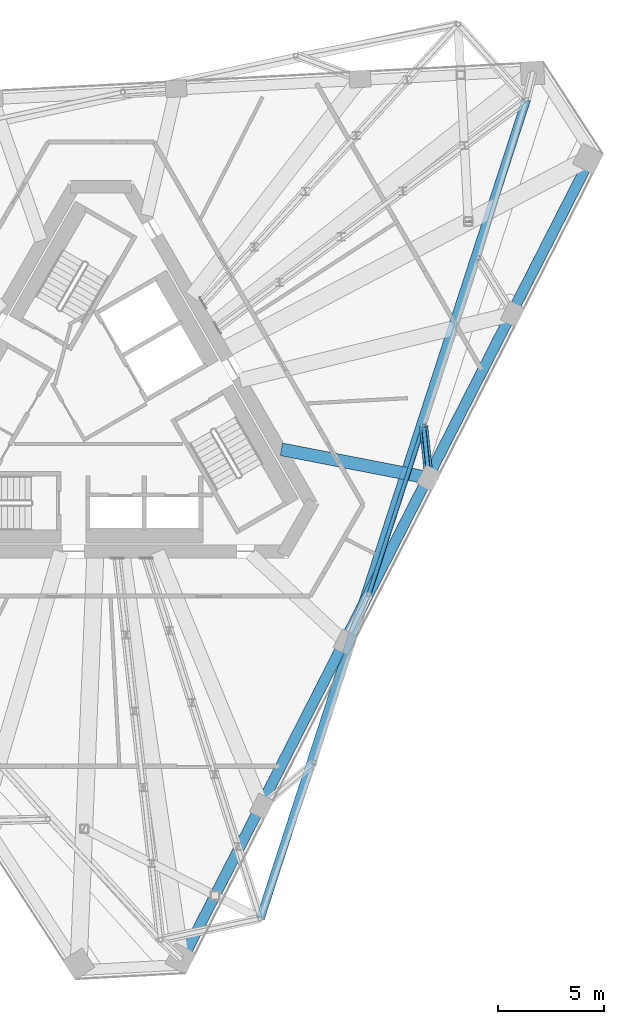
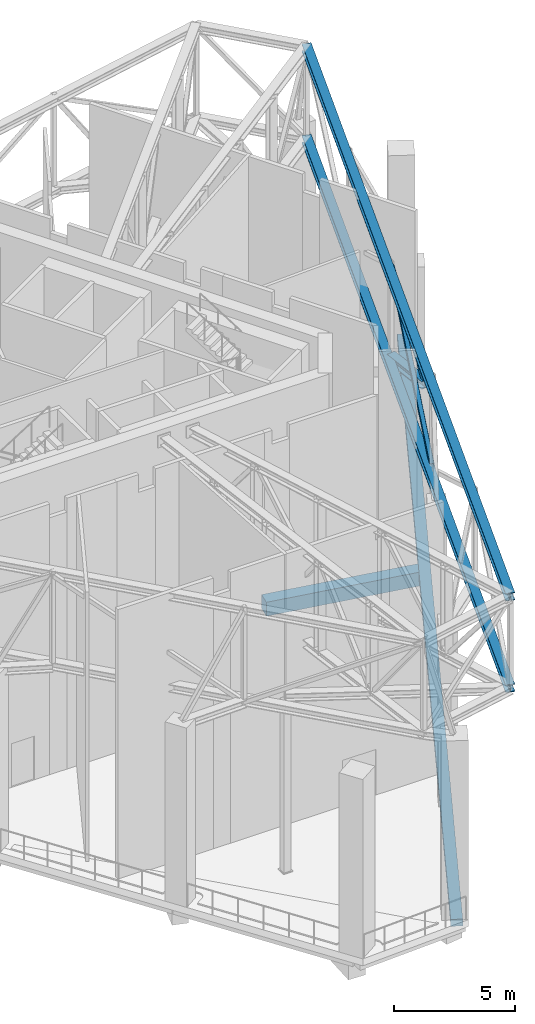
# One storey, part 9 of 23: 5 members, 2 beams.
"""IFC4 building model written with IfcOpenShell, lengths in metres."""

from ifc_helpers import new_model, si_unit, direction, frame, origin, origin_2d, place, context, subcontext, project, spatial, rectangle, hollow_rectangle, i_section, extrude, material, material_profile, profile_set, type_object, element, save


model = new_model("IFC4")

# Units and contexts
model_context = context("Model", 3, precision=1e-05, world=origin(), true_north=direction((0.0, 1.0)))
body_context = subcontext(model_context, "Body", "Model", "MODEL_VIEW")
ifc_project = project(units=[si_unit("LENGTHUNIT", "METRE"), si_unit("AREAUNIT", "SQUARE_METRE"), si_unit("VOLUMEUNIT", "CUBIC_METRE"), si_unit("PLANEANGLEUNIT", "RADIAN"), si_unit("MASSUNIT", "GRAM", prefix="KILO")], contexts=[model_context])

# Site, building, storey
site_placement = place(None, origin())
site = spatial("IfcSite", under=ifc_project, at=site_placement, CompositionType="ELEMENT")
building_placement = place(site_placement, origin())
building = spatial("IfcBuilding", under=site, at=building_placement, Name="Tramontana Tower", CompositionType="ELEMENT")
storey_placement = place(building_placement, frame((0.0, 0.0, 306.39990234375)))
storey = spatial("IfcBuildingStorey", under=building, at=storey_placement, Name="L72", CompositionType="ELEMENT", Elevation=306.39990234375)

# Members
ifc_material_1 = material(Name="Steel ASTM A500 Grade C", Category="steel")
ifc_material_profile_1 = material_profile(ifc_material_1, hollow_rectangle(XDim=0.203125, YDim=0.203125, WallThickness=0.0087890625, InnerFilletRadius=0.0087890625, OuterFilletRadius=0.017822265625, at=origin_2d()), Name="HSS8X8X3/8")
ifc_profile_set_1 = profile_set([ifc_material_profile_1], Name="Steel ASTM A500 Grade C")
member_type_1 = type_object("IfcMemberType", Name="Belt truss HSS8X8X3/8 brace", PredefinedType="BRACE", material=ifc_profile_set_1)
member_1_placement = place(storey_placement, frame((12.600830078125, -8.465087890625, 8.84375), z_axis=(0.270211924337, 0.831640558158, 0.485138637888), x_axis=(-0.951058019695, 0.309012367347, 0.0)))
element("IfcMember", 1, at=member_1_placement, inside=storey, type_object=member_type_1, Name="Belt truss diagonal S1.3", PredefinedType="BRACE", context=body_context, shape_type="SweptSolid", body=[
    extrude(hollow_rectangle(XDim=0.203125, YDim=0.203125, WallThickness=0.0087890625, InnerFilletRadius=0.0087890625, OuterFilletRadius=0.017822265625, at=origin_2d()), origin(), (0.0, 0.0, 1.0), 9.5078125),
])
ifc_material_2 = material(Name="Steel ASTM A992 Grade 50", Category="steel")
ifc_material_profile_2 = material_profile(ifc_material_2, i_section(OverallWidth=0.39697265625, OverallDepth=0.387451171875, WebThickness=0.020751953125, FlangeThickness=0.033447265625, FilletRadius=0.01513671875, at=origin_2d()), Name="W14X176")
ifc_profile_set_2 = profile_set([ifc_material_profile_2], Name="Steel ASTM A992 Grade 50")
member_type_2 = type_object("IfcMemberType", Name="Belt truss W14X176 chord", PredefinedType="CHORD", material=ifc_profile_set_2)
for number, where, z_axis, x_axis, name in (
    (2, (7.489990234375, -23.709716796875, 8.84375), (0.309013774348, 0.951057562539, 0.0), (-0.951057562539, 0.309013774348, 0.0), "Belt truss bottom chord S1"),
    (3, (7.489990234375, -23.709716796875, 13.456298828125), (0.309013774348, 0.951057562539, 0.0), (-0.951057562539, 0.309013774348, 0.0), "Belt truss top chord S1"),
):
    element("IfcMember", number, at=place(storey_placement, frame(where, z_axis=z_axis, x_axis=x_axis)), inside=storey, type_object=member_type_2, Name=name, PredefinedType="CHORD", context=body_context, shape_type="SweptSolid", body=[
        extrude(i_section(OverallWidth=0.39697265625, OverallDepth=0.387451171875, WebThickness=0.020751953125, FlangeThickness=0.033447265625, FilletRadius=0.01513671875, at=origin_2d()), origin(), (0.0, 0.0, 1.0), 40.469482421875),
    ])

# Beams
ifc_material_3 = material(Name="Concrete 40 MPa", Category="concrete")
ifc_material_profile_3 = material_profile(ifc_material_3, rectangle(XDim=0.5, YDim=0.35009765625, at=origin_2d()), Name="RC EDGE BEAM 500X350 40 MPa")
ifc_profile_set_3 = profile_set([ifc_material_profile_3], Name="Concrete 40 MPa")
beam_type_1 = type_object("IfcBeamType", Name="RC EDGE BEAM 500X350 40 MPa", PredefinedType="SPANDREL", material=ifc_profile_set_3)
beam_1_placement = place(storey_placement, frame((3.830078125, -25.63330078125, -0.52490234375), z_axis=(0.453990170761, 0.891006691811, 0.0), x_axis=(-0.891006691811, 0.453990170761, 0.0)))
element("IfcBeam", 4, at=beam_1_placement, inside=storey, type_object=beam_type_1, Name="Spandrel beam S1 L72", PredefinedType="SPANDREL", context=body_context, shape_type="SweptSolid", body=[
    extrude(rectangle(XDim=0.5, YDim=0.35009765625, at=origin_2d()), origin(), (0.0, 0.0, 1.0), 42.201171875),
])
ifc_material_4 = material(Name="Concrete 40 MPa", Category="concrete")
ifc_material_profile_4 = material_profile(ifc_material_4, rectangle(XDim=0.60009765625, YDim=0.699951171875, at=origin_2d()), Name="RC GIRDER 600X700 40 MPa")
ifc_profile_set_4 = profile_set([ifc_material_profile_4], Name="Concrete 40 MPa")
beam_type_2 = type_object("IfcBeamType", Name="RC GIRDER 600X700 40 MPa", PredefinedType="BEAM", material=ifc_profile_set_4)
beam_2_placement = place(storey_placement, frame((15.419921875, -2.9970703125, -0.699951171875), z_axis=(-0.981630853668, 0.190790112761, 0.0), x_axis=(-0.190790112761, -0.981630853668, 0.0)))
element("IfcBeam", 5, at=beam_2_placement, inside=storey, type_object=beam_type_2, Name="Radial girder C7F07 L72", PredefinedType="BEAM", context=body_context, shape_type="SweptSolid", body=[
    extrude(rectangle(XDim=0.60009765625, YDim=0.699951171875, at=origin_2d()), origin(), (0.0, 0.0, 1.0), 7.06494140625),
])

# Members
ifc_material_5 = material(Name="Steel ASTM A500 Grade C", Category="steel")
ifc_material_profile_5 = material_profile(ifc_material_5, hollow_rectangle(XDim=0.203125, YDim=0.203125, WallThickness=0.0087890625, InnerFilletRadius=0.0087890625, OuterFilletRadius=0.017822265625, at=origin_2d()), Name="HSS8X8X3/8")
ifc_profile_set_5 = profile_set([ifc_material_profile_5], Name="Steel ASTM A500 Grade C")
member_type_3 = type_object("IfcMemberType", Name="Transfer truss HSS8X8X3/8 brace", PredefinedType="BRACE", material=ifc_profile_set_5)
member_2_placement = place(storey_placement, frame((15.419921875, -2.9970703125, 8.84375), z_axis=(-0.047859135463, 0.466906995384, 0.883010396776), x_axis=(-0.99478765636, -0.101968224236, 0.0)))
element("IfcMember", 6, at=member_2_placement, inside=storey, type_object=member_type_3, Name="Transfer truss strut C8F07 diagonal", PredefinedType="BRACE", context=body_context, shape_type="SweptSolid", body=[
    extrude(hollow_rectangle(XDim=0.203125, YDim=0.203125, WallThickness=0.0087890625, InnerFilletRadius=0.0087890625, OuterFilletRadius=0.017822265625, at=origin_2d()), origin(), (0.0, 0.0, 1.0), 5.2236328125),
])
ifc_material_6 = material(Name="Steel ASTM A992 Grade 50", Category="steel")
ifc_material_profile_6 = material_profile(ifc_material_6, i_section(OverallWidth=0.39697265625, OverallDepth=0.387451171875, WebThickness=0.020751953125, FlangeThickness=0.033447265625, FilletRadius=0.01513671875, at=origin_2d()), Name="W14X176")
ifc_profile_set_6 = profile_set([ifc_material_profile_6], Name="Steel ASTM A992 Grade 50")
member_type_4 = type_object("IfcMemberType", Name="Transfer truss W14X176 strut", PredefinedType="STRUT", material=ifc_profile_set_6)
member_3_placement = place(storey_placement, frame((15.419921875, -2.9970703125, 8.84375), z_axis=(-0.101968224236, 0.99478765636, 0.0), x_axis=(-0.99478765636, -0.101968224236, 0.0)))
element("IfcMember", 7, at=member_3_placement, inside=storey, type_object=member_type_4, Name="Transfer truss strut C8F07 bottom", PredefinedType="STRUT", context=body_context, shape_type="SweptSolid", body=[
    extrude(i_section(OverallWidth=0.39697265625, OverallDepth=0.387451171875, WebThickness=0.020751953125, FlangeThickness=0.033447265625, FilletRadius=0.01513671875, at=origin_2d()), origin(), (0.0, 0.0, 1.0), 2.45166015625),
])

save(model, "model.ifc")
